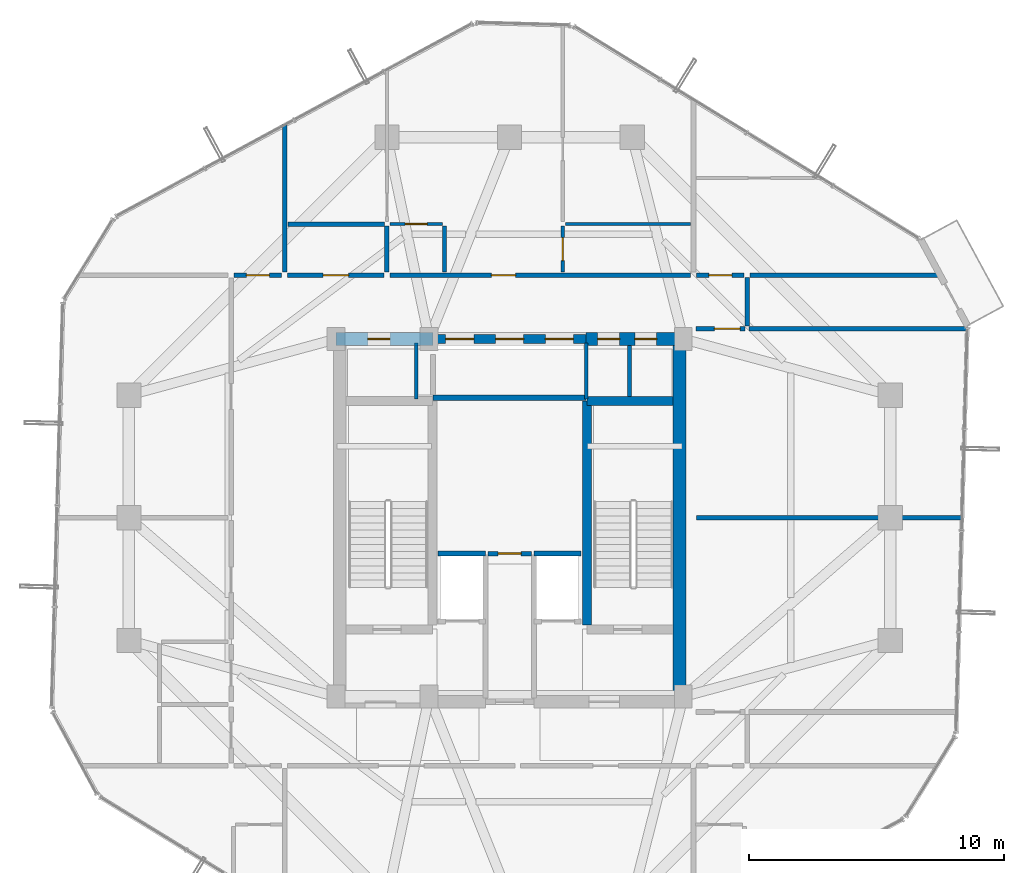
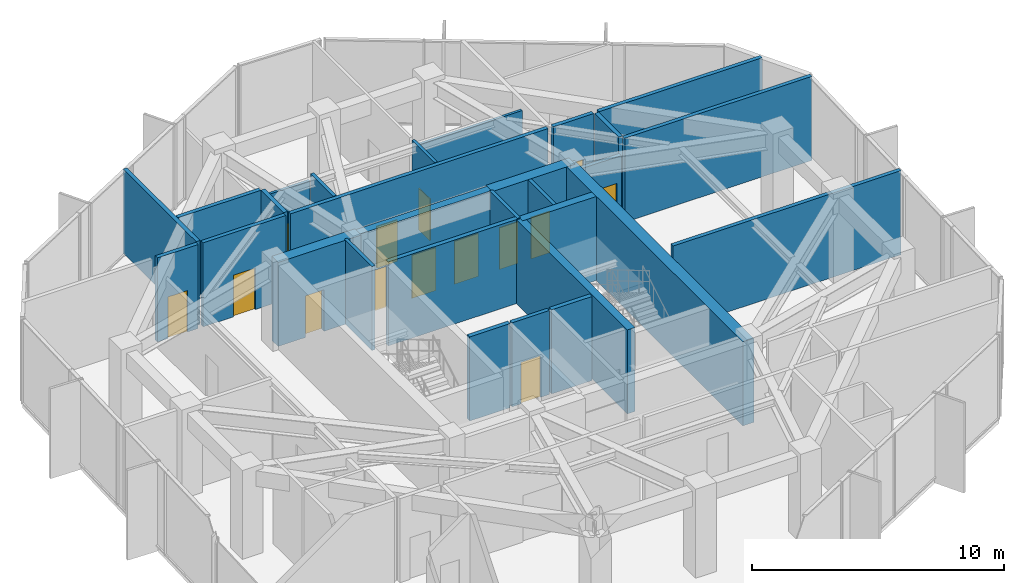
# One storey, part 19 of 22: 29 walls, 14 doors, 14 openings.
"""IFC4 building model written with IfcOpenShell, lengths in metres."""

from ifc_helpers import new_model, si_unit, direction, frame, frame_2d, origin, place, context, subcontext, project, spatial, rectangle, extrude, source, transform, mapped, material, layer, layer_set, type_object, element, fill, save


model = new_model("IFC4")

# Units and contexts
model_context = context("Model", 3, precision=1e-05, world=origin(), true_north=direction((0.0, 1.0)))
body_context = subcontext(model_context, "Body", "Model", "MODEL_VIEW")
ifc_project = project(units=[si_unit("LENGTHUNIT", "METRE"), si_unit("AREAUNIT", "SQUARE_METRE"), si_unit("VOLUMEUNIT", "CUBIC_METRE"), si_unit("PLANEANGLEUNIT", "RADIAN"), si_unit("MASSUNIT", "GRAM", prefix="KILO")], contexts=[model_context])

# Site, building, storey
site_placement = place(None, origin())
site = spatial("IfcSite", under=ifc_project, at=site_placement, CompositionType="ELEMENT")
building_placement = place(site_placement, origin())
building = spatial("IfcBuilding", under=site, at=building_placement, Name="Veraguas Prism Commons", CompositionType="ELEMENT")
storey_placement = place(building_placement, frame((0.0, 0.0, 211.35009765625)))
storey = spatial("IfcBuildingStorey", under=building, at=storey_placement, Name="L60", CompositionType="ELEMENT", Elevation=211.35009765625)

# Wall, openings, doors
ifc_material_1 = material(Name="Concrete C50/60", Category="concrete")
ifc_layer_1 = layer(ifc_material_1, 0.35009765625, Name="Core Internal Shear Wall Upper RC 350", Category="concrete")
ifc_layer_set_1 = layer_set([ifc_layer_1], Name="Concrete C50/60")
wall_type_1 = type_object("IfcWallType", Name="Core Internal Shear Wall Upper RC 350", PredefinedType="SHEAR", material=ifc_layer_set_1)
wall_1_placement = place(storey_placement, frame((21.0, 31.0, 0.0), z_axis=(0.0, 0.0, 1.0), x_axis=(1.0, 0.0, 0.0)))
wall_1 = element("IfcWall", 1, at=wall_1_placement, inside=storey, type_object=wall_type_1, Name="High-Rise Lift Bank Front Shear Wall L60", PredefinedType="SHEAR", context=body_context, shape_type="SweptSolid", body=[
    extrude(rectangle(XDim=6.0, YDim=0.35009765625, at=frame_2d((3.0, 0.0))), origin(), (0.0, 0.0, 1.0), 4.06494140625),
])
opening_1_placement = place(wall_1_placement, frame((0.5, 0.0, 0.0)))
opening_1 = element("IfcOpeningElement", 2, at=opening_1_placement, cuts=wall_1, Name="Opening LD-01", PredefinedType="OPENING", context=body_context, shape_type="SweptSolid", body=[
    extrude(rectangle(XDim=1.10009765625, YDim=2.080078125, at=frame_2d((0.550048828125, 1.0400390625))), frame((0.0, 0.18505859375, 0.0), z_axis=(0.0, -1.0, 0.0), x_axis=(1.0, 0.0, 0.0)), (0.0, 0.0, 1.0), 0.3701171875),
])
opening_2_placement = place(wall_1_placement, frame((2.449951171875, 0.0, 0.0)))
opening_2 = element("IfcOpeningElement", 3, at=opening_2_placement, cuts=wall_1, Name="Opening LD-01", PredefinedType="OPENING", context=body_context, shape_type="SweptSolid", body=[
    extrude(rectangle(XDim=1.10009765625, YDim=2.080078125, at=frame_2d((0.550048828125, 1.0400390625))), frame((0.0, 0.18505859375, 0.0), z_axis=(0.0, -1.0, 0.0), x_axis=(1.0, 0.0, 0.0)), (0.0, 0.0, 1.0), 0.3701171875),
])
opening_3_placement = place(wall_1_placement, frame((4.39990234375, 0.0, 0.0)))
opening_3 = element("IfcOpeningElement", 4, at=opening_3_placement, cuts=wall_1, Name="Opening LD-01", PredefinedType="OPENING", context=body_context, shape_type="SweptSolid", body=[
    extrude(rectangle(XDim=1.10009765625, YDim=2.080078125, at=frame_2d((0.550048828125, 1.0400390625))), frame((0.0, 0.18505859375, 0.0), z_axis=(0.0, -1.0, 0.0), x_axis=(1.0, 0.0, 0.0)), (0.0, 0.0, 1.0), 0.3701171875),
])
ifc_material_2 = material(Name="Stainless steel AISI 316", Category="steel")
door_type_1 = type_object("IfcDoorType", Name="Passenger Lift Sliding Landing Door 1100x2080", OperationType="NOTDEFINED", PredefinedType="DOOR", material=ifc_material_2)
shared_shape_1 = source(origin(), body_context, "Body", "SweptSolid", [
    extrude(rectangle(XDim=1.10009765625, YDim=2.080078125, at=frame_2d((0.550048828125, 1.0400390625))), frame((0.0, 0.02490234375, 0.0), z_axis=(0.0, -1.0, 0.0), x_axis=(1.0, 0.0, 0.0)), (0.0, 0.0, 1.0), 0.050048828125),
])
door_1_placement = place(opening_1_placement, origin())
door_1 = element("IfcDoor", 5, at=door_1_placement, inside=storey, type_object=door_type_1, Name="Sliding Landing Door PL-H1 L60", OperationType="SLIDING_TO_LEFT", OverallHeight=2.080078125, OverallWidth=1.10009765625, PredefinedType="DOOR", context=body_context, shape_type="MappedRepresentation", body=[
    mapped(shared_shape_1, transform((0.0, 0.0, 0.0), scale=1.0)),
])
fill(opening_1, door_1)
door_2_placement = place(opening_2_placement, origin())
door_2 = element("IfcDoor", 6, at=door_2_placement, inside=storey, type_object=door_type_1, Name="Sliding Landing Door PL-H2 L60", OperationType="SLIDING_TO_LEFT", OverallHeight=2.080078125, OverallWidth=1.10009765625, PredefinedType="DOOR", context=body_context, shape_type="MappedRepresentation", body=[
    mapped(shared_shape_1, transform((0.0, 0.0, 0.0), scale=1.0)),
])
fill(opening_2, door_2)
door_3_placement = place(opening_3_placement, origin())
door_3 = element("IfcDoor", 7, at=door_3_placement, inside=storey, type_object=door_type_1, Name="Sliding Landing Door PL-H3 L60", OperationType="SLIDING_TO_LEFT", OverallHeight=2.080078125, OverallWidth=1.10009765625, PredefinedType="DOOR", context=body_context, shape_type="MappedRepresentation", body=[
    mapped(shared_shape_1, transform((0.0, 0.0, 0.0), scale=1.0)),
])
fill(opening_3, door_3)

# Walls
wall_2_placement = place(storey_placement, frame((27.02490234375, 19.800048828125, 0.0), z_axis=(0.0, 0.0, 1.0), x_axis=(0.0, 1.0, 0.0)))
element("IfcWall", 8, at=wall_2_placement, inside=storey, type_object=wall_type_1, Name="Stair ST-02 Inner Shear Wall L60", PredefinedType="SHEAR", context=body_context, shape_type="SweptSolid", body=[
    extrude(rectangle(XDim=8.77490234375, YDim=0.35009765625, at=frame_2d((4.387451171875, 0.0))), origin(), (0.0, 0.0, 1.0), 4.06494140625),
])
wall_3_placement = place(storey_placement, frame((27.02490234375, 28.574951171875, 0.0), z_axis=(0.0, 0.0, 1.0), x_axis=(1.0, 0.0, 0.0)))
element("IfcWall", 9, at=wall_3_placement, inside=storey, type_object=wall_type_1, Name="Stair ST-02 North Shear Wall L60", PredefinedType="SHEAR", context=body_context, shape_type="SweptSolid", body=[
    extrude(rectangle(XDim=3.375, YDim=0.35009765625, at=frame_2d((1.6875, 0.0))), origin(), (0.0, 0.0, 1.0), 4.06494140625),
])
ifc_layer_2 = layer(ifc_material_1, 0.5, Name="Core Outer Shear Wall Upper RC 500", Category="concrete")
ifc_layer_set_2 = layer_set([ifc_layer_2], Name="Concrete C50/60")
wall_type_2 = type_object("IfcWallType", Name="Core Outer Shear Wall Upper RC 500", PredefinedType="SHEAR", material=ifc_layer_set_2)
wall_4_placement = place(storey_placement, frame((30.64990234375, 16.800048828125, 0.0), z_axis=(0.0, 0.0, 1.0), x_axis=(0.0, 1.0, 0.0)))
element("IfcWall", 10, at=wall_4_placement, inside=storey, type_object=wall_type_2, Name="Central Core East Shear Wall L60", PredefinedType="SHEAR", context=body_context, shape_type="SweptSolid", body=[
    extrude(rectangle(XDim=14.199951171875, YDim=0.5, at=frame_2d((7.10009765625, 0.0))), origin(), (0.0, 0.0, 1.0), 4.06494140625),
])

# Wall, opening, door
wall_5_placement = place(storey_placement, frame((17.199951171875, 31.0, 0.0), z_axis=(0.0, 0.0, 1.0), x_axis=(1.0, 0.0, 0.0)))
wall_5 = element("IfcWall", 11, at=wall_5_placement, inside=storey, type_object=wall_type_2, Name="Central Core North-West Shear Wall L60", PredefinedType="SHEAR", context=body_context, shape_type="SweptSolid", body=[
    extrude(rectangle(XDim=3.800048828125, YDim=0.5, at=frame_2d((1.89990234375, 0.0))), origin(), (0.0, 0.0, 1.0), 4.06494140625),
])
opening_4_placement = place(wall_5_placement, frame((1.25, 0.0, 0.0)))
opening_4 = element("IfcOpeningElement", 12, at=opening_4_placement, cuts=wall_5, Name="Opening DR-12", PredefinedType="OPENING", context=body_context, shape_type="SweptSolid", body=[
    extrude(rectangle(XDim=0.860107421875, YDim=2.010009765625, at=frame_2d((0.43017578125, 1.0048828125))), frame((0.0, 0.260009765625, 0.0), z_axis=(0.0, -1.0, 0.0), x_axis=(1.0, 0.0, 0.0)), (0.0, 0.0, 1.0), 0.52001953125),
])
ifc_material_3 = material(Name="Steel fire-rated door assembly", Category="steel")
door_type_2 = type_object("IfcDoorType", Name="Core WC Fire Door 860x2010", OperationType="NOTDEFINED", PredefinedType="DOOR", material=ifc_material_3)
shared_shape_2 = source(origin(), body_context, "Body", "SweptSolid", [
    extrude(rectangle(XDim=0.860107421875, YDim=2.010009765625, at=frame_2d((0.43017578125, 1.0048828125))), frame((0.0, 0.02490234375, 0.0), z_axis=(0.0, -1.0, 0.0), x_axis=(1.0, 0.0, 0.0)), (0.0, 0.0, 1.0), 0.050048828125),
])
door_4_placement = place(opening_4_placement, origin())
door_4 = element("IfcDoor", 13, at=door_4_placement, inside=storey, type_object=door_type_2, Name="Core NW Service Door L60", OperationType="SINGLE_SWING_RIGHT", OverallHeight=2.010009765625, OverallWidth=0.860107421875, PredefinedType="DOOR", context=body_context, shape_type="MappedRepresentation", body=[
    mapped(shared_shape_2, transform((0.0, 0.0, 0.0), scale=1.0)),
])
fill(opening_4, door_4)

# Wall, openings, doors
wall_6_placement = place(storey_placement, frame((27.0, 31.0, 0.0), z_axis=(0.0, 0.0, 1.0), x_axis=(1.0, 0.0, 0.0)))
wall_6 = element("IfcWall", 14, at=wall_6_placement, inside=storey, type_object=wall_type_2, Name="Central Core North-East Shear Wall L60", PredefinedType="SHEAR", context=body_context, shape_type="SweptSolid", body=[
    extrude(rectangle(XDim=3.800048828125, YDim=0.5, at=frame_2d((1.89990234375, 0.0))), origin(), (0.0, 0.0, 1.0), 4.06494140625),
])
opening_5_placement = place(wall_6_placement, frame((0.449951171875, 0.0, 0.0)))
opening_5 = element("IfcOpeningElement", 15, at=opening_5_placement, cuts=wall_6, Name="Opening DR-12", PredefinedType="OPENING", context=body_context, shape_type="SweptSolid", body=[
    extrude(rectangle(XDim=0.860107421875, YDim=2.010009765625, at=frame_2d((0.43017578125, 1.0048828125))), frame((0.0, 0.260009765625, 0.0), z_axis=(0.0, -1.0, 0.0), x_axis=(1.0, 0.0, 0.0)), (0.0, 0.0, 1.0), 0.52001953125),
])
opening_6_placement = place(wall_6_placement, frame((1.89990234375, 0.0, 0.0)))
opening_6 = element("IfcOpeningElement", 16, at=opening_6_placement, cuts=wall_6, Name="Opening DR-12", PredefinedType="OPENING", context=body_context, shape_type="SweptSolid", body=[
    extrude(rectangle(XDim=0.860107421875, YDim=2.010009765625, at=frame_2d((0.43017578125, 1.0048828125))), frame((0.0, 0.260009765625, 0.0), z_axis=(0.0, -1.0, 0.0), x_axis=(1.0, 0.0, 0.0)), (0.0, 0.0, 1.0), 0.52001953125),
])
door_5_placement = place(opening_5_placement, origin())
door_5 = element("IfcDoor", 17, at=door_5_placement, inside=storey, type_object=door_type_2, Name="Core NE Room A Door L60", OperationType="SINGLE_SWING_LEFT", OverallHeight=2.010009765625, OverallWidth=0.860107421875, PredefinedType="DOOR", context=body_context, shape_type="MappedRepresentation", body=[
    mapped(shared_shape_2, transform((0.0, 0.0, 0.0), scale=1.0)),
])
fill(opening_5, door_5)
door_6_placement = place(opening_6_placement, origin())
door_6 = element("IfcDoor", 18, at=door_6_placement, inside=storey, type_object=door_type_2, Name="Core NE Room B Door L60", OperationType="SINGLE_SWING_RIGHT", OverallHeight=2.010009765625, OverallWidth=0.860107421875, PredefinedType="DOOR", context=body_context, shape_type="MappedRepresentation", body=[
    mapped(shared_shape_2, transform((0.0, 0.0, 0.0), scale=1.0)),
])
fill(opening_6, door_6)

# Wall, opening, door
ifc_material_4 = material(Name="Autoclaved aerated masonry block 10 MPa", Category="masonry")
ifc_layer_3 = layer(ifc_material_4, 0.179931640625, Name="Corridor and Inter-Tenancy Partition 180", Category="masonry")
ifc_layer_set_3 = layer_set([ifc_layer_3], Name="Autoclaved aerated masonry block 10 MPa")
wall_type_3 = type_object("IfcWallType", Name="Corridor and Inter-Tenancy Partition 180", PredefinedType="PARTITIONING", material=ifc_layer_set_3)
wall_7_placement = place(storey_placement, frame((23.14990234375, 22.60009765625, 0.0), z_axis=(0.0, 0.0, 1.0), x_axis=(1.0, 0.0, 0.0)))
wall_7 = element("IfcWall", 19, at=wall_7_placement, inside=storey, type_object=wall_type_3, Name="Core Suite Entry Wall L60", PredefinedType="PARTITIONING", context=body_context, shape_type="SweptSolid", body=[
    extrude(rectangle(XDim=1.7001953125, YDim=0.179931640625, at=frame_2d((0.85009765625, 0.0))), origin(), (0.0, 0.0, 1.0), 4.06494140625),
])
opening_7_placement = place(wall_7_placement, frame((0.39990234375, 0.0, 0.0)))
opening_7 = element("IfcOpeningElement", 20, at=opening_7_placement, cuts=wall_7, Name="Opening DR-14", PredefinedType="OPENING", context=body_context, shape_type="SweptSolid", body=[
    extrude(rectangle(XDim=0.89990234375, YDim=2.010009765625, at=frame_2d((0.449951171875, 1.0048828125))), frame((0.0, 0.099853515625, 0.0), z_axis=(0.0, -1.0, 0.0), x_axis=(1.0, 0.0, 0.0)), (0.0, 0.0, 1.0), 0.199951171875),
])
door_type_3 = type_object("IfcDoorType", Name="Core Service Room Fire Door 900x2010", OperationType="NOTDEFINED", PredefinedType="DOOR", material=ifc_material_3)
shared_shape_3 = source(origin(), body_context, "Body", "SweptSolid", [
    extrude(rectangle(XDim=0.89990234375, YDim=2.010009765625, at=frame_2d((0.449951171875, 1.0048828125))), frame((0.0, 0.02490234375, 0.0), z_axis=(0.0, -1.0, 0.0), x_axis=(1.0, 0.0, 0.0)), (0.0, 0.0, 1.0), 0.050048828125),
])
door_7_placement = place(opening_7_placement, origin())
door_7 = element("IfcDoor", 21, at=door_7_placement, inside=storey, type_object=door_type_3, Name="Core Suite Entry Door L60", OperationType="SINGLE_SWING_LEFT", OverallHeight=2.010009765625, OverallWidth=0.89990234375, PredefinedType="DOOR", context=body_context, shape_type="MappedRepresentation", body=[
    mapped(shared_shape_3, transform((0.0, 0.0, 0.0), scale=1.0)),
])
fill(opening_7, door_7)

# Wall
wall_8_placement = place(storey_placement, frame((15.199951171875, 33.6201171875, 0.0), z_axis=(0.0, 0.0, 1.0), x_axis=(0.0, 1.0, 0.0)))
element("IfcWall", 22, at=wall_8_placement, inside=storey, type_object=wall_type_3, Name="WL-L60-PT005", PredefinedType="PARTITIONING", context=body_context, shape_type="SweptSolid", body=[
    extrude(rectangle(XDim=5.7890625, YDim=0.179931640625, at=frame_2d((2.89453125, 0.0))), origin(), (0.0, 0.0, 1.0), 4.06494140625),
])

# Wall, opening, door
wall_9_placement = place(storey_placement, frame((15.31005859375, 33.5, 0.0), z_axis=(0.0, 0.0, 1.0), x_axis=(1.0, 0.0, 0.0)))
wall_9 = element("IfcWall", 23, at=wall_9_placement, inside=storey, type_object=wall_type_3, Name="WL-L60-PT007", PredefinedType="PARTITIONING", context=body_context, shape_type="SweptSolid", body=[
    extrude(rectangle(XDim=3.780029296875, YDim=0.179931640625, at=frame_2d((1.89013671875, 0.0))), origin(), (0.0, 0.0, 1.0), 4.06494140625),
])
opening_8_placement = place(wall_9_placement, frame((1.389892578125, 0.0, 0.0)))
opening_8 = element("IfcOpeningElement", 24, at=opening_8_placement, cuts=wall_9, Name="Opening DR-13", PredefinedType="OPENING", context=body_context, shape_type="SweptSolid", body=[
    extrude(rectangle(XDim=1.0, YDim=2.010009765625, at=frame_2d((0.5, 1.0048828125))), frame((0.0, 0.099853515625, 0.0), z_axis=(0.0, -1.0, 0.0), x_axis=(1.0, 0.0, 0.0)), (0.0, 0.0, 1.0), 0.199951171875),
])
door_type_4 = type_object("IfcDoorType", Name="Core Accessible WC and Clinic Fire Door 1000x2010", OperationType="NOTDEFINED", PredefinedType="DOOR", material=ifc_material_3)
shared_shape_4 = source(origin(), body_context, "Body", "SweptSolid", [
    extrude(rectangle(XDim=1.0, YDim=2.010009765625, at=frame_2d((0.5, 1.0048828125))), frame((0.0, 0.02490234375, 0.0), z_axis=(0.0, -1.0, 0.0), x_axis=(1.0, 0.0, 0.0)), (0.0, 0.0, 1.0), 0.050048828125),
])
door_8_placement = place(opening_8_placement, origin())
door_8 = element("IfcDoor", 25, at=door_8_placement, inside=storey, type_object=door_type_4, Name="Residents Study Alcove 60A Door", OperationType="SINGLE_SWING_RIGHT", OverallHeight=2.010009765625, OverallWidth=1.0, PredefinedType="DOOR", context=body_context, shape_type="MappedRepresentation", body=[
    mapped(shared_shape_4, transform((0.0, 0.0, 0.0), scale=1.0)),
])
fill(opening_8, door_8)

wall_10_placement = place(storey_placement, frame((19.31005859375, 33.5, 0.0), z_axis=(0.0, 0.0, 1.0), x_axis=(1.0, 0.0, 0.0)))
wall_10 = element("IfcWall", 26, at=wall_10_placement, inside=storey, type_object=wall_type_3, Name="WL-L60-PT008", PredefinedType="PARTITIONING", context=body_context, shape_type="SweptSolid", body=[
    extrude(rectangle(XDim=11.780029296875, YDim=0.179931640625, at=frame_2d((5.89013671875, 0.0))), origin(), (0.0, 0.0, 1.0), 4.06494140625),
])
opening_9_placement = place(wall_10_placement, frame((3.97998046875, 0.0, 0.0)))
opening_9 = element("IfcOpeningElement", 27, at=opening_9_placement, cuts=wall_10, Name="Opening DR-01", PredefinedType="OPENING", context=body_context, shape_type="SweptSolid", body=[
    extrude(rectangle(XDim=0.949951171875, YDim=2.02001953125, at=frame_2d((0.47509765625, 1.010009765625))), frame((0.0, 0.099853515625, 0.0), z_axis=(0.0, -1.0, 0.0), x_axis=(1.0, 0.0, 0.0)), (0.0, 0.0, 1.0), 0.199951171875),
])
ifc_material_5 = material(Name="Anodised aluminium EN AW-6063 T6", Category="aluminium")
door_type_5 = type_object("IfcDoorType", Name="Apartment Entrance Fire Door 950x2020", OperationType="NOTDEFINED", PredefinedType="DOOR", material=ifc_material_5)
shared_shape_5 = source(origin(), body_context, "Body", "SweptSolid", [
    extrude(rectangle(XDim=0.949951171875, YDim=2.02001953125, at=frame_2d((0.47509765625, 1.010009765625))), frame((0.0, 0.02490234375, 0.0), z_axis=(0.0, -1.0, 0.0), x_axis=(1.0, 0.0, 0.0)), (0.0, 0.0, 1.0), 0.050048828125),
])
door_9_placement = place(opening_9_placement, origin())
door_9 = element("IfcDoor", 28, at=door_9_placement, inside=storey, type_object=door_type_5, Name="Flat 60A Entrance Door", OperationType="SINGLE_SWING_LEFT", OverallHeight=2.02001953125, OverallWidth=0.949951171875, PredefinedType="DOOR", context=body_context, shape_type="MappedRepresentation", body=[
    mapped(shared_shape_5, transform((0.0, 0.0, 0.0), scale=1.0)),
])
fill(opening_9, door_9)

# Walls
wall_11_placement = place(storey_placement, frame((15.320068359375, 35.5, 0.0), z_axis=(0.0, 0.0, 1.0), x_axis=(1.0, 0.0, 0.0)))
element("IfcWall", 29, at=wall_11_placement, inside=storey, type_object=wall_type_3, Name="WL-L60-PT009", PredefinedType="PARTITIONING", context=body_context, shape_type="SweptSolid", body=[
    extrude(rectangle(XDim=3.780029296875, YDim=0.179931640625, at=frame_2d((1.89013671875, 0.0))), origin(), (0.0, 0.0, 1.0), 4.06494140625),
])
wall_12_placement = place(storey_placement, frame((19.199951171875, 33.6201171875, 0.0), z_axis=(0.0, 0.0, 1.0), x_axis=(0.0, 1.0, 0.0)))
element("IfcWall", 30, at=wall_12_placement, inside=storey, type_object=wall_type_3, Name="WL-L60-PT010", PredefinedType="PARTITIONING", context=body_context, shape_type="SweptSolid", body=[
    extrude(rectangle(XDim=1.7998046875, YDim=0.179931640625, at=frame_2d((0.89990234375, 0.0))), origin(), (0.0, 0.0, 1.0), 4.06494140625),
])
wall_13_placement = place(storey_placement, frame((31.320068359375, 24.0, 0.0), z_axis=(0.0, 0.0, 1.0), x_axis=(1.0, 0.0, 0.0)))
element("IfcWall", 31, at=wall_13_placement, inside=storey, type_object=wall_type_3, Name="WL-L60-PT028", PredefinedType="PARTITIONING", context=body_context, shape_type="SweptSolid", body=[
    extrude(rectangle(XDim=10.427001953125, YDim=0.179931640625, at=frame_2d((5.21337890625, 0.0))), origin(), (0.0, 0.0, 1.0), 4.06494140625),
])
wall_14_placement = place(storey_placement, frame((33.300048828125, 31.5, 0.0), z_axis=(0.0, 0.0, 1.0), x_axis=(0.0, 1.0, 0.0)))
element("IfcWall", 32, at=wall_14_placement, inside=storey, type_object=wall_type_3, Name="WL-L60-PT030", PredefinedType="PARTITIONING", context=body_context, shape_type="SweptSolid", body=[
    extrude(rectangle(XDim=1.89990234375, YDim=0.179931640625, at=frame_2d((0.949951171875, 0.0))), origin(), (0.0, 0.0, 1.0), 4.06494140625),
])

# Wall, opening, door
wall_15_placement = place(storey_placement, frame((31.300048828125, 31.39990234375, 0.0), z_axis=(0.0, 0.0, 1.0), x_axis=(1.0, 0.0, 0.0)))
wall_15 = element("IfcWall", 33, at=wall_15_placement, inside=storey, type_object=wall_type_3, Name="WL-L60-PT033", PredefinedType="PARTITIONING", context=body_context, shape_type="SweptSolid", body=[
    extrude(rectangle(XDim=1.919921875, YDim=0.179931640625, at=frame_2d((0.9599609375, 0.0))), origin(), (0.0, 0.0, 1.0), 3.285888671875),
])
opening_10_placement = place(wall_15_placement, frame((0.719970703125, 0.0, 0.0)))
opening_10 = element("IfcOpeningElement", 34, at=opening_10_placement, cuts=wall_15, Name="Opening DR-13", PredefinedType="OPENING", context=body_context, shape_type="SweptSolid", body=[
    extrude(rectangle(XDim=1.0, YDim=2.010009765625, at=frame_2d((0.5, 1.0048828125))), frame((0.0, 0.099853515625, 0.0), z_axis=(0.0, -1.0, 0.0), x_axis=(1.0, 0.0, 0.0)), (0.0, 0.0, 1.0), 0.199951171875),
])
door_10_placement = place(opening_10_placement, origin())
door_10 = element("IfcDoor", 35, at=door_10_placement, inside=storey, type_object=door_type_4, Name="Study Salon Door L60", OperationType="SINGLE_SWING_LEFT", OverallHeight=2.010009765625, OverallWidth=1.0, PredefinedType="DOOR", context=body_context, shape_type="MappedRepresentation", body=[
    mapped(shared_shape_4, transform((0.0, 0.0, 0.0), scale=1.0)),
])
fill(opening_10, door_10)

# Wall
wall_16_placement = place(storey_placement, frame((33.3798828125, 31.39990234375, 0.0), z_axis=(0.0, 0.0, 1.0), x_axis=(1.0, 0.0, 0.0)))
element("IfcWall", 36, at=wall_16_placement, inside=storey, type_object=wall_type_3, Name="WL-L60-PT034", PredefinedType="PARTITIONING", context=body_context, shape_type="SweptSolid", body=[
    extrude(rectangle(XDim=8.5712890625, YDim=0.179931640625, at=frame_2d((4.28564453125, 0.0))), origin(), (0.0, 0.0, 1.0), 4.06494140625),
])

# Wall, opening, door
wall_17_placement = place(storey_placement, frame((13.219970703125, 33.5, 0.0), z_axis=(0.0, 0.0, 1.0), x_axis=(1.0, 0.0, 0.0)))
wall_17 = element("IfcWall", 37, at=wall_17_placement, inside=storey, type_object=wall_type_3, Name="WL-L60-PT044", PredefinedType="PARTITIONING", context=body_context, shape_type="SweptSolid", body=[
    extrude(rectangle(XDim=1.860107421875, YDim=0.179931640625, at=frame_2d((0.93017578125, 0.0))), origin(), (0.0, 0.0, 1.0), 4.06494140625),
])
opening_11_placement = place(wall_17_placement, frame((0.47998046875, 0.0, 0.0)))
opening_11 = element("IfcOpeningElement", 38, at=opening_11_placement, cuts=wall_17, Name="Opening DR-14", PredefinedType="OPENING", context=body_context, shape_type="SweptSolid", body=[
    extrude(rectangle(XDim=0.89990234375, YDim=2.010009765625, at=frame_2d((0.449951171875, 1.0048828125))), frame((0.0, 0.099853515625, 0.0), z_axis=(0.0, -1.0, 0.0), x_axis=(1.0, 0.0, 0.0)), (0.0, 0.0, 1.0), 0.199951171875),
])
door_11_placement = place(opening_11_placement, origin())
door_11 = element("IfcDoor", 39, at=door_11_placement, inside=storey, type_object=door_type_3, Name="Residents Corner Study Room NW Door", OperationType="SINGLE_SWING_RIGHT", OverallHeight=2.010009765625, OverallWidth=0.89990234375, PredefinedType="DOOR", context=body_context, shape_type="MappedRepresentation", body=[
    mapped(shared_shape_3, transform((0.0, 0.0, 0.0), scale=1.0)),
])
fill(opening_11, door_11)

# Wall
wall_18_placement = place(storey_placement, frame((33.419921875, 33.5, 0.0), z_axis=(0.0, 0.0, 1.0), x_axis=(1.0, 0.0, 0.0)))
element("IfcWall", 40, at=wall_18_placement, inside=storey, type_object=wall_type_3, Name="WL-L60-PT045", PredefinedType="PARTITIONING", context=body_context, shape_type="SweptSolid", body=[
    extrude(rectangle(XDim=7.467041015625, YDim=0.179931640625, at=frame_2d((3.7333984375, 0.0))), origin(), (0.0, 0.0, 1.0), 4.06494140625),
])

# Wall, opening, door
wall_19_placement = place(storey_placement, frame((31.320068359375, 33.5, 0.0), z_axis=(0.0, 0.0, 1.0), x_axis=(1.0, 0.0, 0.0)))
wall_19 = element("IfcWall", 41, at=wall_19_placement, inside=storey, type_object=wall_type_3, Name="WL-L60-PT046", PredefinedType="PARTITIONING", context=body_context, shape_type="SweptSolid", body=[
    extrude(rectangle(XDim=1.85986328125, YDim=0.179931640625, at=frame_2d((0.929931640625, 0.0))), origin(), (0.0, 0.0, 1.0), 4.06494140625),
])
opening_12_placement = place(wall_19_placement, frame((0.47998046875, 0.0, 0.0)))
opening_12 = element("IfcOpeningElement", 42, at=opening_12_placement, cuts=wall_19, Name="Opening DR-14", PredefinedType="OPENING", context=body_context, shape_type="SweptSolid", body=[
    extrude(rectangle(XDim=0.89990234375, YDim=2.010009765625, at=frame_2d((0.449951171875, 1.0048828125))), frame((0.0, 0.099853515625, 0.0), z_axis=(0.0, -1.0, 0.0), x_axis=(1.0, 0.0, 0.0)), (0.0, 0.0, 1.0), 0.199951171875),
])
door_12_placement = place(opening_12_placement, origin())
door_12 = element("IfcDoor", 43, at=door_12_placement, inside=storey, type_object=door_type_3, Name="Shared Laundry Room Door", OperationType="SINGLE_SWING_LEFT", OverallHeight=2.010009765625, OverallWidth=0.89990234375, PredefinedType="DOOR", context=body_context, shape_type="MappedRepresentation", body=[
    mapped(shared_shape_3, transform((0.0, 0.0, 0.0), scale=1.0)),
])
fill(opening_12, door_12)

ifc_material_6 = material(Name="Lightweight acoustic gypsum board")
ifc_layer_4 = layer(ifc_material_6, 0.125, Name="Internal Apartment Room Partition 125")
ifc_layer_set_4 = layer_set([ifc_layer_4], Name="Lightweight acoustic gypsum board")
wall_type_4 = type_object("IfcWallType", Name="Internal Apartment Room Partition 125", PredefinedType="PARTITIONING", material=ifc_layer_set_4)
wall_20_placement = place(storey_placement, frame((19.320068359375, 35.5, 0.0), z_axis=(0.0, 0.0, 1.0), x_axis=(1.0, 0.0, 0.0)))
wall_20 = element("IfcWall", 44, at=wall_20_placement, inside=storey, type_object=wall_type_4, Name="WL-L60-PT013", PredefinedType="PARTITIONING", context=body_context, shape_type="SweptSolid", body=[
    extrude(rectangle(XDim=2.050048828125, YDim=0.125, at=frame_2d((1.02490234375, 0.0))), origin(), (0.0, 0.0, 1.0), 3.7119140625),
])
opening_13_placement = place(wall_20_placement, frame((0.594970703125, 0.0, 0.0)))
opening_13 = element("IfcOpeningElement", 45, at=opening_13_placement, cuts=wall_20, Name="Opening DR-03", PredefinedType="OPENING", context=body_context, shape_type="SweptSolid", body=[
    extrude(rectangle(XDim=0.860107421875, YDim=2.010009765625, at=frame_2d((0.43017578125, 1.0048828125))), frame((0.0, 0.072509765625, 0.0), z_axis=(0.0, -1.0, 0.0), x_axis=(1.0, 0.0, 0.0)), (0.0, 0.0, 1.0), 0.14501953125),
])
ifc_material_7 = material(Name="Timber moisture-resistant leaf", Category="wood")
door_type_6 = type_object("IfcDoorType", Name="Internal Bathroom Door 860x2010", OperationType="NOTDEFINED", PredefinedType="DOOR", material=ifc_material_7)
door_13_placement = place(opening_13_placement, origin())
door_13 = element("IfcDoor", 46, at=door_13_placement, inside=storey, type_object=door_type_6, Name="Flat 60A Bathroom Door", OperationType="SINGLE_SWING_LEFT", OverallHeight=2.010009765625, OverallWidth=0.860107421875, PredefinedType="DOOR", context=body_context, shape_type="MappedRepresentation", body=[
    mapped(shared_shape_2, transform((0.0, 0.0, 0.0), scale=1.0)),
])
fill(opening_13, door_13)

wall_21_placement = place(storey_placement, frame((26.080078125, 33.6201171875, 0.0), z_axis=(0.0, 0.0, 1.0), x_axis=(0.0, 1.0, 0.0)))
wall_21 = element("IfcWall", 47, at=wall_21_placement, inside=storey, type_object=wall_type_4, Name="WL-L60-PT014", PredefinedType="PARTITIONING", context=body_context, shape_type="SweptSolid", body=[
    extrude(rectangle(XDim=1.7998046875, YDim=0.125, at=frame_2d((0.89990234375, 0.0))), origin(), (0.0, 0.0, 1.0), 4.06494140625),
])
opening_14_placement = place(wall_21_placement, frame((0.449951171875, 0.0, 0.0)))
opening_14 = element("IfcOpeningElement", 48, at=opening_14_placement, cuts=wall_21, Name="Opening DR-02", PredefinedType="OPENING", context=body_context, shape_type="SweptSolid", body=[
    extrude(rectangle(XDim=0.89990234375, YDim=2.010009765625, at=frame_2d((0.449951171875, 1.0048828125))), frame((0.0, 0.072509765625, 0.0), z_axis=(0.0, -1.0, 0.0), x_axis=(1.0, 0.0, 0.0)), (0.0, 0.0, 1.0), 0.14501953125),
])
ifc_material_8 = material(Name="Timber solid core hardwood", Category="wood")
door_type_7 = type_object("IfcDoorType", Name="Internal Habitable Room Door 900x2010", OperationType="NOTDEFINED", PredefinedType="DOOR", material=ifc_material_8)
door_14_placement = place(opening_14_placement, origin())
door_14 = element("IfcDoor", 49, at=door_14_placement, inside=storey, type_object=door_type_7, Name="Flat 60A Kitchen Door", OperationType="SINGLE_SWING_RIGHT", OverallHeight=2.010009765625, OverallWidth=0.89990234375, PredefinedType="DOOR", context=body_context, shape_type="MappedRepresentation", body=[
    mapped(shared_shape_3, transform((0.0, 0.0, 0.0), scale=1.0)),
])
fill(opening_14, door_14)

# Walls
wall_22_placement = place(storey_placement, frame((26.179931640625, 35.5, 0.0), z_axis=(0.0, 0.0, 1.0), x_axis=(1.0, 0.0, 0.0)))
element("IfcWall", 50, at=wall_22_placement, inside=storey, type_object=wall_type_4, Name="WL-L60-PT015", PredefinedType="PARTITIONING", context=body_context, shape_type="SweptSolid", body=[
    extrude(rectangle(XDim=4.900146484375, YDim=0.125, at=frame_2d((2.4501953125, 0.0))), origin(), (0.0, 0.0, 1.0), 3.7119140625),
])
ifc_layer_5 = layer(ifc_material_4, 0.199951171875, Name="Rated Shaft and Lobby Block Wall 200", Category="masonry")
ifc_layer_set_5 = layer_set([ifc_layer_5], Name="Autoclaved aerated masonry block 10 MPa")
wall_type_5 = type_object("IfcWallType", Name="Rated Shaft and Lobby Block Wall 200", PredefinedType="SOLIDWALL", material=ifc_layer_set_5)
for number, where, z_axis, x_axis, name in (
    (51, (21.199951171875, 22.60009765625, 0.0), (0.0, 0.0, 1.0), (1.0, 0.0, 0.0), "Firefighting Lift FFL-1 Rear Wall L60"),
    (52, (24.949951171875, 22.60009765625, 0.0), (0.0, 0.0, 1.0), (1.0, 0.0, 0.0), "Firefighting Lift FFL-2 Rear Wall L60"),
):
    element("IfcWall", number, at=place(storey_placement, frame(where, z_axis=z_axis, x_axis=x_axis)), inside=storey, type_object=wall_type_5, Name=name, PredefinedType="SOLIDWALL", context=body_context, shape_type="SweptSolid", body=[
        extrude(rectangle(XDim=1.85009765625, YDim=0.199951171875, at=frame_2d((0.925048828125, 0.0))), origin(), (0.0, 0.0, 1.0), 4.06494140625),
    ])
wall_23_placement = place(storey_placement, frame((21.0, 28.699951171875, 0.0), z_axis=(0.0, 0.0, 1.0), x_axis=(1.0, 0.0, 0.0)))
element("IfcWall", 53, at=wall_23_placement, inside=storey, type_object=wall_type_5, Name="High-Rise Lift Bank Rear Shaft Wall L60", PredefinedType="SOLIDWALL", context=body_context, shape_type="SweptSolid", body=[
    extrude(rectangle(XDim=6.0, YDim=0.199951171875, at=frame_2d((3.0, 0.0))), origin(), (0.0, 0.0, 1.0), 4.06494140625),
])
ifc_layer_6 = layer(ifc_material_6, 0.14990234375, Name="Wet Room and Clinic Acoustic Partition 150")
ifc_layer_set_6 = layer_set([ifc_layer_6], Name="Lightweight acoustic gypsum board")
wall_type_6 = type_object("IfcWallType", Name="Wet Room and Clinic Acoustic Partition 150", PredefinedType="PARTITIONING", material=ifc_layer_set_6)
for number, where, z_axis, x_axis, name in (
    (54, (20.35009765625, 28.64990234375, 0.0), (0.0, 0.0, 1.0), (0.0, 1.0, 0.0), "Core NW Service Inner Wall L60"),
    (55, (27.0, 28.64990234375, 0.0), (0.0, 0.0, 1.0), (0.0, 1.0, 0.0), "Core NE Service Inner Wall L60"),
):
    element("IfcWall", number, at=place(storey_placement, frame(where, z_axis=z_axis, x_axis=x_axis)), inside=storey, type_object=wall_type_6, Name=name, PredefinedType="PARTITIONING", context=body_context, shape_type="SweptSolid", body=[
        extrude(rectangle(XDim=2.2001953125, YDim=0.14990234375, at=frame_2d((1.10009765625, 0.0))), origin(), (0.0, 0.0, 1.0), 4.06494140625),
    ])
wall_24_placement = place(storey_placement, frame((28.699951171875, 28.75, 0.0), z_axis=(0.0, 0.0, 1.0), x_axis=(0.0, 1.0, 0.0)))
element("IfcWall", 56, at=wall_24_placement, inside=storey, type_object=wall_type_6, Name="WL-L60-CSVD1", PredefinedType="PARTITIONING", context=body_context, shape_type="SweptSolid", body=[
    extrude(rectangle(XDim=2.0, YDim=0.14990234375, at=frame_2d((1.0, 0.0))), origin(), (0.0, 0.0, 1.0), 4.06494140625),
])
wall_25_placement = place(storey_placement, frame((21.449951171875, 33.6201171875, 0.0), z_axis=(0.0, 0.0, 1.0), x_axis=(0.0, 1.0, 0.0)))
element("IfcWall", 57, at=wall_25_placement, inside=storey, type_object=wall_type_6, Name="WL-L60-PT012", PredefinedType="PARTITIONING", context=body_context, shape_type="SweptSolid", body=[
    extrude(rectangle(XDim=1.7998046875, YDim=0.14990234375, at=frame_2d((0.89990234375, 0.0))), origin(), (0.0, 0.0, 1.0), 4.06494140625),
])

save(model, "model.ifc")
